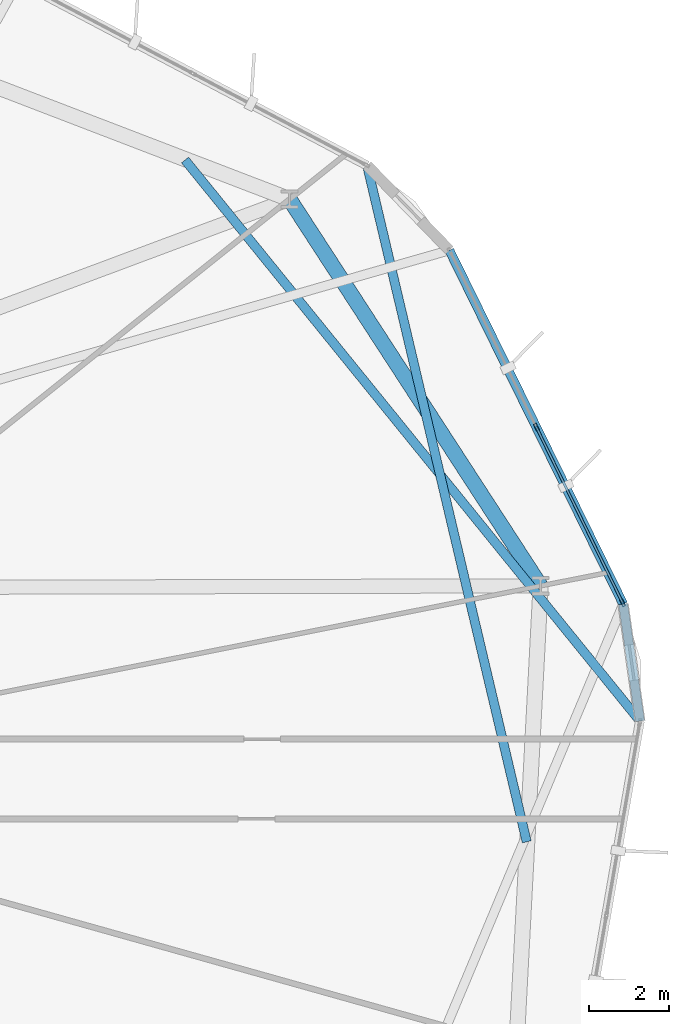
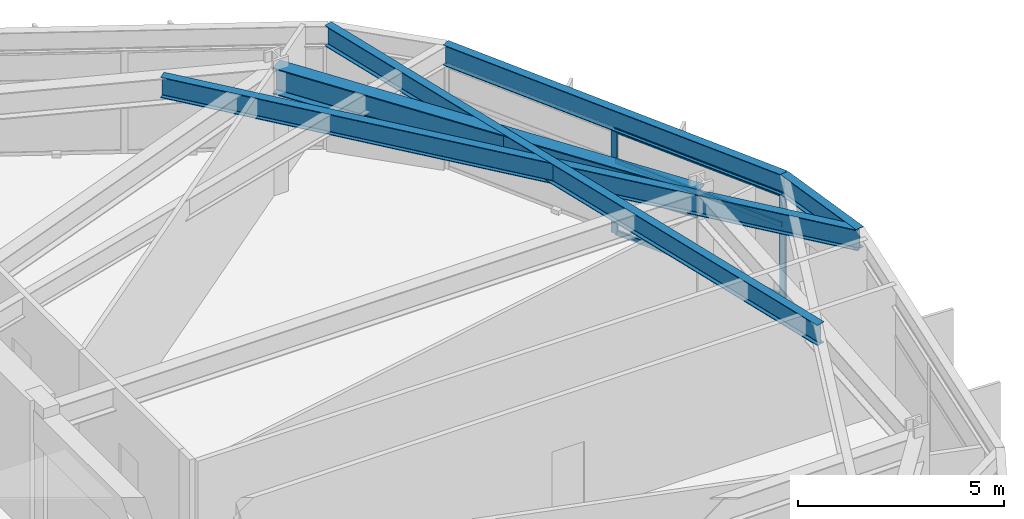
# One storey, part 10 of 22: 5 beams, 5 members, 1 element without a shape of its own.
"""IFC4 building model written with IfcOpenShell, lengths in metres."""

import ifcopenshell
import ifcopenshell.guid

model = None  # the IFC model being written
_history = None  # IfcOwnerHistory: only IFC2X3 demands one
_inside = {}  # id of a spatial element -> (the spatial element, [elements in it])
_under = {}  # id of a project, library or spatial element -> (it, [spatial elements below it])
_declared = {}  # id of a project -> (the project, [libraries it declares])
_typed = {}  # id of a type object -> (the type object, [elements of that type])
_made_of = {}  # id of a material, layer set ... -> (it, [elements and type objects made of it])


def new_model(schema):
    """Start an empty IFC model of exactly this schema.

    Asked for "IFC4X3", IfcOpenShell would pick the latest addendum, in which some entities
    have other attributes; the version numbers below select the first issue.
    IFC2X3 requires an IfcOwnerHistory on every rooted entity: one is made here for all.
    """
    global model, _history
    if schema == "IFC4X3":
        model = ifcopenshell.file(schema_version=(4, 3, 0, 0))
    else:
        model = ifcopenshell.file(schema=schema)
    _inside.clear()
    _under.clear()
    _declared.clear()
    _typed.clear()
    _made_of.clear()
    _history = None
    if model.schema == "IFC2X3":
        org = make("IfcOrganization", Name="unknown")
        user = make(
            "IfcPersonAndOrganization",
            ThePerson=make("IfcPerson", FamilyName="unknown"),
            TheOrganization=org,
        )
        app = make(
            "IfcApplication",
            ApplicationDeveloper=org,
            Version="unknown",
            ApplicationFullName="unknown",
            ApplicationIdentifier="unknown",
        )
        _history = make(
            "IfcOwnerHistory",
            OwningUser=user,
            OwningApplication=app,
            ChangeAction="ADDED",
            CreationDate=0,
        )
    return model


def make(cls, **values):
    """One entity of the class cls with the attributes given. An attribute that is None is left unset."""
    return model.create_entity(
        cls, **{name: value for name, value in values.items() if value is not None}
    )


def rooted(cls, **values):
    """An entity with a GlobalId (a new one), such as an element, a storey or a relation."""
    return make(cls, GlobalId=ifcopenshell.guid.new(), OwnerHistory=_history, **values)


def si_unit(unit_type, name, prefix=None):
    """IfcSIUnit, for example si_unit("LENGTHUNIT", "METRE", prefix="MILLI")."""
    return make("IfcSIUnit", UnitType=unit_type, Prefix=prefix, Name=name)


def assignment(units):
    """IfcUnitAssignment: the units of a project."""
    return None if units is None else make("IfcUnitAssignment", Units=units)


def point(xyz):
    """IfcCartesianPoint."""
    return None if xyz is None else make("IfcCartesianPoint", Coordinates=xyz)


def direction(xyz):
    """IfcDirection."""
    return None if xyz is None else make("IfcDirection", DirectionRatios=xyz)


def frame(location, z_axis=None, x_axis=None):
    """IfcAxis2Placement3D, a coordinate frame: its origin and axes. An axis left out is left unset."""
    return make(
        "IfcAxis2Placement3D",
        Location=point(location),
        Axis=direction(z_axis),
        RefDirection=direction(x_axis),
    )


def frame_2d(location, x_axis=None):
    """IfcAxis2Placement2D, a coordinate frame in the plane: its origin and x axis."""
    return make(
        "IfcAxis2Placement2D", Location=point(location), RefDirection=direction(x_axis)
    )


def origin():
    """The frame at (0, 0, 0) with its axes left unset."""
    return frame((0.0, 0.0, 0.0))


def origin_2d():
    """The frame at (0, 0) in the plane with its x axis left unset."""
    return frame_2d((0.0, 0.0))


def place(relative_to, where):
    """IfcLocalPlacement: puts the frame where relative to a parent placement (None: the world)."""
    return make(
        "IfcLocalPlacement", PlacementRelTo=relative_to, RelativePlacement=where
    )


def context(
    kind, dimensions, precision=None, world=None, true_north=None, identifier=None
):
    """IfcGeometricRepresentationContext, for example the 3D "Model" context."""
    return make(
        "IfcGeometricRepresentationContext",
        ContextIdentifier=identifier,
        ContextType=kind,
        CoordinateSpaceDimension=dimensions,
        Precision=precision,
        WorldCoordinateSystem=world,
        TrueNorth=true_north,
    )


def subcontext(parent, identifier, kind, view, scale=None):
    """IfcGeometricRepresentationSubContext, for example "Body" below "Model"."""
    return make(
        "IfcGeometricRepresentationSubContext",
        ContextIdentifier=identifier,
        ContextType=kind,
        ParentContext=parent,
        TargetScale=scale,
        TargetView=view,
    )


def project(units=None, contexts=None):
    """IfcProject with its units and contexts."""
    return rooted(
        "IfcProject",
        Name="project",
        RepresentationContexts=contexts,
        UnitsInContext=assignment(units),
    )


def spatial(cls, under=None, at=None, **own):
    """A site, building, storey or space (cls), placed at a placement, below another one or the project."""
    s = rooted(cls, ObjectPlacement=at, **own)
    if under is not None:
        _under.setdefault(under.id(), (under, []))[1].append(s)
    return s


def profile(cls, at=None, kind="AREA", **sizes):
    """A parametric profile (cls). Its sizes go by their IFC names, for example OverallWidth=200.0."""
    return make(cls, ProfileType=kind, Position=at, **sizes)


def hollow_rectangle(**sizes):
    """IfcRectangleHollowProfileDef."""
    return profile("IfcRectangleHollowProfileDef", **sizes)


def i_section(**sizes):
    """IfcIShapeProfileDef."""
    return profile("IfcIShapeProfileDef", **sizes)


def extrude(swept, where, along, depth):
    """IfcExtrudedAreaSolid: the profile swept, set in the frame where, extruded along a direction by depth."""
    return make(
        "IfcExtrudedAreaSolid",
        SweptArea=swept,
        Position=where,
        ExtrudedDirection=direction(along),
        Depth=depth,
    )


def shape(context_of_items, identifier, shape_type, items):
    """IfcShapeRepresentation: the items that make up one representation, for example the "Body"."""
    return make(
        "IfcShapeRepresentation",
        ContextOfItems=context_of_items,
        RepresentationIdentifier=identifier,
        RepresentationType=shape_type,
        Items=items,
    )


def material(Name=None, Category=None):
    """IfcMaterial."""
    return make("IfcMaterial", Name=Name, Category=Category)


def layer(
    of_material, thickness, ventilated=None, Name=None, Category=None, Priority=None
):
    """IfcMaterialLayer: one layer of a wall or slab, of a material (None: an air gap)."""
    return make(
        "IfcMaterialLayer",
        Material=of_material,
        LayerThickness=thickness,
        IsVentilated=ventilated,
        Name=Name,
        Category=Category,
        Priority=Priority,
    )


def layer_set(layers, Name=None):
    """IfcMaterialLayerSet."""
    return make("IfcMaterialLayerSet", MaterialLayers=layers, LayerSetName=Name)


def material_profile(
    of_material, cross_section, Name=None, Category=None, Priority=None
):
    """IfcMaterialProfile: a cross section and its material."""
    return make(
        "IfcMaterialProfile",
        Name=Name,
        Material=of_material,
        Profile=cross_section,
        Priority=Priority,
        Category=Category,
    )


def profile_set(profiles, Name=None, composite=None):
    """IfcMaterialProfileSet."""
    return make(
        "IfcMaterialProfileSet",
        Name=Name,
        MaterialProfiles=profiles,
        CompositeProfile=composite,
    )


def made_of(thing, what):
    """Note that an element or type object is made of a material, layer set ...; save() writes the relation."""
    if what is not None:
        _made_of.setdefault(what.id(), (what, []))[1].append(thing)
    return thing


def type_object(cls, material=None, **own):
    """A type object (cls), such as IfcWallType, which elements share."""
    return made_of(rooted(cls, **own), material)


def element(
    cls,
    number,
    at=None,
    inside=None,
    cuts=None,
    type_object=None,
    material=None,
    context=None,
    identifier="Body",
    shape_type=None,
    held_by="IfcProductDefinitionShape",
    body=None,
    shapes=None,
    **own,
):
    """One element of the class cls, such as IfcWall. Its Tag is "e" and its number.

    at: its placement. inside: the storey or other place that contains it. cuts: it is an
    opening in that element (IfcRelVoidsElement). A single representation is given by context,
    identifier, shape_type and body (its items); several are given by shapes. held_by: the class
    of the entity that holds the representations. save() writes the other relations.
    """
    e = rooted(cls, Tag="e%d" % number, ObjectPlacement=at, **own)
    if body is not None:
        shapes = [shape(context, identifier, shape_type, body)]
    if shapes is not None:
        e.Representation = make(held_by, Representations=shapes)
    if inside is not None:
        _inside.setdefault(inside.id(), (inside, []))[1].append(e)
    if cuts is not None:
        rooted(
            "IfcRelVoidsElement", RelatingBuildingElement=cuts, RelatedOpeningElement=e
        )
    if type_object is not None:
        _typed.setdefault(type_object.id(), (type_object, []))[1].append(e)
    return made_of(e, material)


def aggregate(whole, parts):
    """IfcRelAggregates: a whole, such as a stair, and the parts it consists of."""
    return rooted("IfcRelAggregates", RelatingObject=whole, RelatedObjects=parts)


def save(model, path):
    """Write the relations noted so far, then the file.

    IfcRelAggregates (storeys below a building ...), IfcRelContainedInSpatialStructure (elements
    in a storey), IfcRelDefinesByType, IfcRelAssociatesMaterial and IfcRelDeclares: one each for
    every whole, place, type object, material and project.
    """
    for whole, parts in _under.values():
        aggregate(whole, parts)
    for where, things in _inside.values():
        rooted(
            "IfcRelContainedInSpatialStructure",
            RelatedElements=things,
            RelatingStructure=where,
        )
    for kind, things in _typed.values():
        rooted("IfcRelDefinesByType", RelatedObjects=things, RelatingType=kind)
    for what, things in _made_of.values():
        rooted("IfcRelAssociatesMaterial", RelatedObjects=things, RelatingMaterial=what)
    for by, libraries in _declared.values():
        rooted("IfcRelDeclares", RelatingContext=by, RelatedDefinitions=libraries)
    model.write(path)


model = new_model("IFC4")

# Units and contexts
model_context = context("Model", 3, precision=1e-05, world=origin(), true_north=direction((0.0, 1.0)))
body_context = subcontext(model_context, "Body", "Model", "MODEL_VIEW")
ifc_project = project(units=[si_unit("LENGTHUNIT", "METRE"), si_unit("AREAUNIT", "SQUARE_METRE"), si_unit("VOLUMEUNIT", "CUBIC_METRE"), si_unit("PLANEANGLEUNIT", "RADIAN"), si_unit("MASSUNIT", "GRAM", prefix="KILO")], contexts=[model_context])

# Site, building, storey
site_placement = place(None, origin())
site = spatial("IfcSite", under=ifc_project, at=site_placement, CompositionType="ELEMENT")
building_placement = place(site_placement, origin())
building = spatial("IfcBuilding", under=site, at=building_placement, Name="Soratama Intermodal Tower", CompositionType="ELEMENT")
storey_placement = place(building_placement, frame((0.0, 0.0, 58.60009765625)))
storey = spatial("IfcBuildingStorey", under=building, at=storey_placement, Name="L13", CompositionType="ELEMENT", Elevation=58.60009765625)

# Beams
ifc_material_1 = material(Name="Structural steel ASTM A992 Grade 50", Category="steel")
ifc_material_profile_1 = material_profile(ifc_material_1, i_section(OverallWidth=0.382080078125, OverallDepth=0.779052734375, WebThickness=0.01806640625, FlangeThickness=0.030029296875, FilletRadius=0.01806640625, at=origin_2d()), Name="W30X191")
ifc_profile_set_1 = profile_set([ifc_material_profile_1], Name="Structural steel ASTM A992 Grade 50")
beam_type_1 = type_object("IfcBeamType", Name="BM-RING-W30X191", PredefinedType="BEAM", material=ifc_profile_set_1)
beam_1_placement = place(storey_placement, frame((63.08203125, 29.844970703125, 3.310302734375), z_axis=(-0.544623370352, 0.838680740489, 0.0), x_axis=(-0.838680740489, -0.544623370352, 0.0)))
element("IfcBeam", 1, at=beam_1_placement, inside=storey, type_object=beam_type_1, Name="BM-L13-RING-01", PredefinedType="BEAM", context=body_context, shape_type="SweptSolid", body=[
    extrude(i_section(OverallWidth=0.382080078125, OverallDepth=0.779052734375, WebThickness=0.01806640625, FlangeThickness=0.030029296875, FilletRadius=0.01806640625, at=origin_2d()), origin(), (0.0, 0.0, 1.0), 11.569580078125),
])
ifc_material_2 = material(Name="Structural steel ASTM A992 Grade 50", Category="steel")
ifc_material_profile_2 = material_profile(ifc_material_2, i_section(OverallWidth=0.22900390625, OverallDepth=0.612060546875, WebThickness=0.011962890625, FlangeThickness=0.01953125, FilletRadius=0.012939453125, at=origin_2d()), Name="W24X84")
ifc_profile_set_2 = profile_set([ifc_material_profile_2], Name="Structural steel ASTM A992 Grade 50")
beam_type_2 = type_object("IfcBeamType", Name="BM-SPN-W24X84", PredefinedType="SPANDREL", material=ifc_profile_set_2)
beam_2_placement = place(storey_placement, frame((65.155029296875, 29.388916015625, 3.393798828125), z_axis=(-0.440895160559, 0.897558609449, 0.0), x_axis=(-0.897558609449, -0.440895160559, 0.0)))
element("IfcBeam", 2, at=beam_2_placement, inside=storey, type_object=beam_type_2, Name="BS-L13-F01", PredefinedType="SPANDREL", context=body_context, shape_type="SweptSolid", body=[
    extrude(i_section(OverallWidth=0.22900390625, OverallDepth=0.612060546875, WebThickness=0.011962890625, FlangeThickness=0.01953125, FilletRadius=0.012939453125, at=origin_2d()), origin(), (0.0, 0.0, 1.0), 9.8935546875),
])
beam_3_placement = place(storey_placement, frame((65.575927734375, 26.451904296875, 3.393798828125), z_axis=(-0.141859097863, 0.98988686038, 0.0), x_axis=(-0.98988686038, -0.141859097863, 0.0)))
element("IfcBeam", 3, at=beam_3_placement, inside=storey, type_object=beam_type_2, Name="BS-L13-CRN10", PredefinedType="SPANDREL", context=body_context, shape_type="SweptSolid", body=[
    extrude(i_section(OverallWidth=0.22900390625, OverallDepth=0.612060546875, WebThickness=0.011962890625, FlangeThickness=0.01953125, FilletRadius=0.012939453125, at=origin_2d()), origin(), (0.0, 0.0, 1.0), 2.967041015625),
])
ifc_material_3 = material(Name="Structural steel ASTM A992 Grade 50", Category="steel")
ifc_material_profile_3 = material_profile(ifc_material_3, i_section(OverallWidth=0.22900390625, OverallDepth=0.612060546875, WebThickness=0.011962890625, FlangeThickness=0.01953125, FilletRadius=0.012939453125, at=origin_2d()), Name="W24X84")
ifc_profile_set_3 = profile_set([ifc_material_profile_3], Name="Structural steel ASTM A992 Grade 50")
beam_type_3 = type_object("IfcBeamType", Name="BM-TIE-W24X84", PredefinedType="BEAM", material=ifc_profile_set_3)
beam_4_placement = place(storey_placement, frame((62.73388671875, 23.422119140625, 3.393798828125), z_axis=(-0.229732098589, 0.97325390463, 0.0), x_axis=(-0.97325390463, -0.229732098589, 0.0)))
element("IfcBeam", 4, at=beam_4_placement, inside=storey, type_object=beam_type_3, Name="BM-L13-TIE0-02", PredefinedType="BEAM", context=body_context, shape_type="SweptSolid", body=[
    extrude(i_section(OverallWidth=0.22900390625, OverallDepth=0.612060546875, WebThickness=0.011962890625, FlangeThickness=0.01953125, FilletRadius=0.012939453125, at=origin_2d()), origin(), (0.0, 0.0, 1.0), 17.44140625),
])
beam_5_placement = place(storey_placement, frame((54.158935546875, 40.532958984375, 3.393798828125), z_axis=(0.629799323063, -0.776757885489, 0.0), x_axis=(0.776757885489, 0.629799323063, 0.0)))
element("IfcBeam", 5, at=beam_5_placement, inside=storey, type_object=beam_type_3, Name="BM-L13-TIE1-10", PredefinedType="BEAM", context=body_context, shape_type="SweptSolid", body=[
    extrude(i_section(OverallWidth=0.22900390625, OverallDepth=0.612060546875, WebThickness=0.011962890625, FlangeThickness=0.01953125, FilletRadius=0.012939453125, at=origin_2d()), origin(), (0.0, 0.0, 1.0), 18.1279296875),
])

# Curtain wall, members
ifc_material_4 = material(Name="Double-glazed aluminium curtain wall", Category="aluminium")
ifc_layer = layer(ifc_material_4, 0.159912109375)
ifc_layer_set = layer_set([ifc_layer], Name="Double-glazed aluminium curtain wall")
curtain_wall_type = type_object("IfcCurtainWallType", Name="CW-SYS-2", PredefinedType="NOTDEFINED", material=ifc_layer_set)
curtain_wall_placement = place(storey_placement, origin())
curtain_wall = element("IfcCurtainWall", 6, at=curtain_wall_placement, inside=storey, type_object=curtain_wall_type, Name="L13 Faceted Curtain Wall F01", PredefinedType="NOTDEFINED")
ifc_material_5 = material(Name="Anodised aluminium AA 6063-T6", Category="aluminium")
ifc_material_profile_4 = material_profile(ifc_material_5, hollow_rectangle(XDim=0.074951171875, YDim=0.179931640625, WallThickness=0.006103515625, InnerFilletRadius=0.006103515625, OuterFilletRadius=0.011962890625, at=origin_2d()), Name="CWM180X75X6")
ifc_profile_set_4 = profile_set([ifc_material_profile_4], Name="Anodised aluminium AA 6063-T6")
member_type_1 = type_object("IfcMemberType", Name="MT-CWM-2", PredefinedType="MULLION", material=ifc_profile_set_4)
member_1_placement = place(storey_placement, frame((65.14208984375, 29.41552734375, 0.0), z_axis=(0.0, 0.0, 1.0), x_axis=(-0.897568289772, -0.440875453156, 0.0)))
member_1 = element("IfcMember", 7, at=member_1_placement, type_object=member_type_1, Name="CW-2 mullion 1", PredefinedType="MULLION", context=body_context, shape_type="SweptSolid", body=[
    extrude(hollow_rectangle(XDim=0.074951171875, YDim=0.179931640625, WallThickness=0.006103515625, InnerFilletRadius=0.006103515625, OuterFilletRadius=0.011962890625, at=origin_2d()), origin(), (0.0, 0.0, 1.0), 3.078857421875),
])
member_2_placement = place(storey_placement, frame((62.974365234375, 33.828857421875, 0.0), z_axis=(0.0, 0.0, 1.0), x_axis=(-0.897568289772, -0.440875453156, 0.0)))
member_2 = element("IfcMember", 8, at=member_2_placement, type_object=member_type_1, Name="CW-2 mullion 2", PredefinedType="MULLION", context=body_context, shape_type="SweptSolid", body=[
    extrude(hollow_rectangle(XDim=0.074951171875, YDim=0.179931640625, WallThickness=0.006103515625, InnerFilletRadius=0.006103515625, OuterFilletRadius=0.011962890625, at=origin_2d()), origin(), (0.0, 0.0, 1.0), 3.078857421875),
])
ifc_material_6 = material(Name="Anodised aluminium AA 6063-T6", Category="aluminium")
ifc_material_profile_5 = material_profile(ifc_material_6, hollow_rectangle(XDim=0.06494140625, YDim=0.14990234375, WallThickness=0.0048828125, InnerFilletRadius=0.0048828125, OuterFilletRadius=0.010009765625, at=origin_2d()), Name="CWT150X65X5")
ifc_profile_set_5 = profile_set([ifc_material_profile_5], Name="Anodised aluminium AA 6063-T6")
member_type_2 = type_object("IfcMemberType", Name="TT-CWT-1", PredefinedType="USERDEFINED", material=ifc_profile_set_5)
member_3_placement = place(storey_placement, frame((65.12890625, 29.4423828125, 0.02978515625), z_axis=(-0.440869069385, 0.89757142538, 0.0), x_axis=(-0.89757142538, -0.440869069385, 0.0)))
member_3 = element("IfcMember", 9, at=member_3_placement, type_object=member_type_2, Name="CW-2 transom 1.1", ObjectType="TRANSOM", PredefinedType="USERDEFINED", context=body_context, shape_type="SweptSolid", body=[
    extrude(hollow_rectangle(XDim=0.06494140625, YDim=0.14990234375, WallThickness=0.0048828125, InnerFilletRadius=0.0048828125, OuterFilletRadius=0.010009765625, at=origin_2d()), origin(), (0.0, 0.0, 1.0), 4.857177734375),
])
member_4_placement = place(storey_placement, frame((65.12890625, 29.4423828125, 2.14990234375), z_axis=(-0.440869069385, 0.89757142538, 0.0), x_axis=(-0.89757142538, -0.440869069385, 0.0)))
member_4 = element("IfcMember", 10, at=member_4_placement, type_object=member_type_2, Name="CW-2 transom 1.2", ObjectType="TRANSOM", PredefinedType="USERDEFINED", context=body_context, shape_type="SweptSolid", body=[
    extrude(hollow_rectangle(XDim=0.06494140625, YDim=0.14990234375, WallThickness=0.0048828125, InnerFilletRadius=0.0048828125, OuterFilletRadius=0.010009765625, at=origin_2d()), origin(), (0.0, 0.0, 1.0), 4.857177734375),
])
member_5_placement = place(storey_placement, frame((65.12890625, 29.4423828125, 3.048828125), z_axis=(-0.440869069385, 0.89757142538, 0.0), x_axis=(-0.89757142538, -0.440869069385, 0.0)))
member_5 = element("IfcMember", 11, at=member_5_placement, type_object=member_type_2, Name="CW-2 transom 1.3", ObjectType="TRANSOM", PredefinedType="USERDEFINED", context=body_context, shape_type="SweptSolid", body=[
    extrude(hollow_rectangle(XDim=0.06494140625, YDim=0.14990234375, WallThickness=0.0048828125, InnerFilletRadius=0.0048828125, OuterFilletRadius=0.010009765625, at=origin_2d()), origin(), (0.0, 0.0, 1.0), 4.857177734375),
])
aggregate(curtain_wall, [member_1, member_2, member_3, member_4, member_5])

save(model, "model.ifc")
